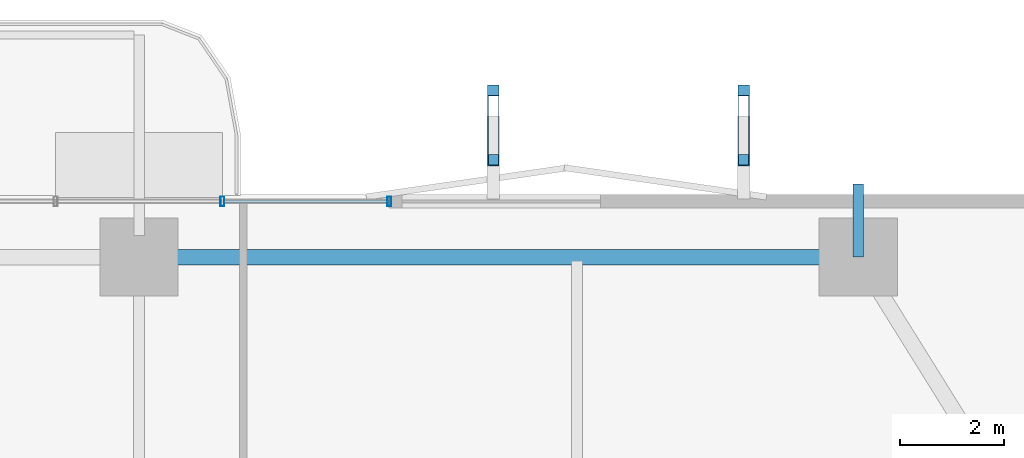
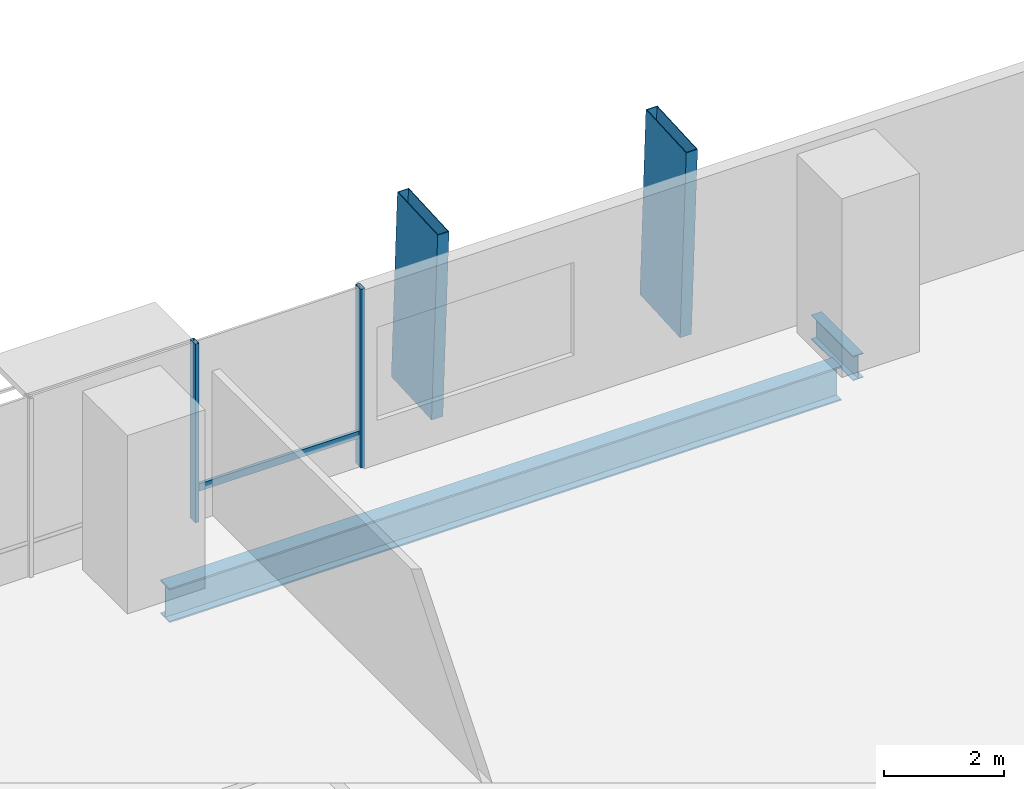
# One storey, part 15 of 24: 5 members, 2 beams, 1 element without a shape of its own.
"""IFC4 building model written with IfcOpenShell, lengths in metres."""

from ifc_helpers import new_model, si_unit, direction, frame, origin, origin_2d, place, context, subcontext, project, spatial, hollow_rectangle, i_section, extrude, material, layer, layer_set, material_profile, profile_set, type_object, element, aggregate, save


model = new_model("IFC4")

# Units and contexts
model_context = context("Model", 3, precision=1e-05, world=origin(), true_north=direction((0.0, 1.0)))
body_context = subcontext(model_context, "Body", "Model", "MODEL_VIEW")
ifc_project = project(units=[si_unit("LENGTHUNIT", "METRE"), si_unit("AREAUNIT", "SQUARE_METRE"), si_unit("VOLUMEUNIT", "CUBIC_METRE"), si_unit("PLANEANGLEUNIT", "RADIAN"), si_unit("MASSUNIT", "GRAM", prefix="KILO")], contexts=[model_context])

# Site, building, storey
site_placement = place(None, origin())
site = spatial("IfcSite", under=ifc_project, at=site_placement, CompositionType="ELEMENT")
building_placement = place(site_placement, origin())
building = spatial("IfcBuilding", under=site, at=building_placement, Name="Belovzor Exchange Tower", CompositionType="ELEMENT")
storey_placement = place(building_placement, frame((0.0, 0.0, 69.0)))
storey = spatial("IfcBuildingStorey", under=building, at=storey_placement, Name="L16", CompositionType="ELEMENT", Elevation=69.0)

# Members
ifc_material_1 = material(Name="Extruded Architectural Terracotta on Steel S355 Carrier", Category="masonry")
ifc_material_profile_1 = material_profile(ifc_material_1, hollow_rectangle(XDim=0.219970703125, YDim=1.35009765625, WallThickness=0.013916015625, at=origin_2d()))
ifc_profile_set_1 = profile_set([ifc_material_profile_1], Name="Extruded Architectural Terracotta on Steel S355 Carrier")
member_type_1 = type_object("IfcMemberType", Name="Base Arc Sweeping Terracotta Pylon Fin 1450", PredefinedType="USERDEFINED", material=ifc_profile_set_1)
for number, where, z_axis, x_axis, name in (
    (1, (35.60009765625, 58.132080078125, -0.25), (0.0, -0.052512896371, 0.998620245997), (1.0, 0.0, 0.0), "FIN-TC145 Terracotta Facade Fin L16 N3"),
    (2, (40.39990234375, 58.132080078125, -0.25), (0.0, -0.052512896371, 0.998620245997), (1.0, 0.0, 0.0), "FIN-TC145 Terracotta Facade Fin L16 N4"),
):
    element("IfcMember", number, at=place(storey_placement, frame(where, z_axis=z_axis, x_axis=x_axis)), inside=storey, type_object=member_type_1, Name=name, ObjectType="FIN", PredefinedType="USERDEFINED", context=body_context, shape_type="SweptSolid", body=[
        extrude(hollow_rectangle(XDim=0.219970703125, YDim=1.35009765625, WallThickness=0.013916015625, at=origin_2d()), origin(), (0.0, 0.0, 1.0), 3.9052734375),
    ])

# Beam
ifc_material_2 = material(Name="Steel S355", Category="steel")
ifc_material_profile_2 = material_profile(ifc_material_2, i_section(OverallWidth=0.199951171875, OverallDepth=0.5, WebThickness=0.01025390625, FlangeThickness=0.01611328125, at=origin_2d()))
ifc_profile_set_2 = profile_set([ifc_material_profile_2], Name="Steel S355")
beam_type_1 = type_object("IfcBeamType", Name="Planted Balcony Cantilever Beam IPE 500", PredefinedType="BEAM", material=ifc_profile_set_2)
beam_1_placement = place(storey_placement, frame((42.60009765625, 55.5, -0.5), z_axis=(0.0, 1.0, 0.0), x_axis=(-1.0, 0.0, 0.0)))
element("IfcBeam", 3, at=beam_1_placement, inside=storey, type_object=beam_type_1, Name="BC-500 Planted Balcony Cantilever Beam IPE 500", PredefinedType="BEAM", context=body_context, shape_type="SweptSolid", body=[
    extrude(i_section(OverallWidth=0.199951171875, OverallDepth=0.5, WebThickness=0.01025390625, FlangeThickness=0.01611328125, at=origin_2d()), origin(), (0.0, 0.0, 1.0), 1.39990234375),
])

# Curtain wall, members
ifc_material_3 = material(Name="Anodised Aluminium Framing", Category="aluminium")
ifc_layer = layer(ifc_material_3, 0.179931640625)
ifc_layer_set = layer_set([ifc_layer], Name="Anodised Aluminium Framing")
curtain_wall_type = type_object("IfcCurtainWallType", Name="Recessed Loggia Low-Iron Triple-Glazed Curtain Wall", PredefinedType="NOTDEFINED", material=ifc_layer_set)
curtain_wall_placement = place(storey_placement, origin())
curtain_wall = element("IfcCurtainWall", 4, at=curtain_wall_placement, inside=storey, type_object=curtain_wall_type, Name="CW3 Recessed Loggia Low-Iron Triple-Glazed Curtain Wall L16", PredefinedType="NOTDEFINED")
ifc_material_4 = material(Name="Steel S355", Category="steel")
ifc_material_profile_3 = material_profile(ifc_material_4, hollow_rectangle(XDim=0.074951171875, YDim=0.179931640625, WallThickness=0.0048828125, at=origin_2d()))
ifc_profile_set_3 = profile_set([ifc_material_profile_3], Name="Steel S355")
member_type_2 = type_object("IfcMemberType", Name="Thermally Broken Curtain Wall Mullion 180x75", PredefinedType="MULLION", material=ifc_profile_set_3)
member_1_placement = place(storey_placement, frame((30.39990234375, 56.570068359375, 0.0), z_axis=(0.0, 0.0, 1.0), x_axis=(1.0, 0.0, 0.0)))
member_1 = element("IfcMember", 5, at=member_1_placement, type_object=member_type_2, Name="CW-M180 Curtain Wall Mullion 3", PredefinedType="MULLION", context=body_context, shape_type="SweptSolid", body=[
    extrude(hollow_rectangle(XDim=0.074951171875, YDim=0.179931640625, WallThickness=0.0048828125, at=origin_2d()), origin(), (0.0, 0.0, 1.0), 3.64990234375),
])
member_2_placement = place(storey_placement, frame((33.60009765625, 56.570068359375, 0.0), z_axis=(0.0, 0.0, 1.0), x_axis=(1.0, 0.0, 0.0)))
member_2 = element("IfcMember", 6, at=member_2_placement, type_object=member_type_2, Name="CW-M180 Curtain Wall Mullion 4", PredefinedType="MULLION", context=body_context, shape_type="SweptSolid", body=[
    extrude(hollow_rectangle(XDim=0.074951171875, YDim=0.179931640625, WallThickness=0.0048828125, at=origin_2d()), origin(), (0.0, 0.0, 1.0), 3.64990234375),
])
ifc_material_5 = material(Name="Steel S355", Category="steel")
ifc_material_profile_4 = material_profile(ifc_material_5, hollow_rectangle(XDim=0.06005859375, YDim=0.14990234375, WallThickness=0.00390625, at=origin_2d()))
ifc_profile_set_4 = profile_set([ifc_material_profile_4], Name="Steel S355")
member_type_3 = type_object("IfcMemberType", Name="Thermally Broken Curtain Wall Transom 150x60", PredefinedType="USERDEFINED", material=ifc_profile_set_4)
member_3_placement = place(storey_placement, frame((30.407958984375, 56.570068359375, 0.64990234375), z_axis=(1.0, 0.0, 0.0), x_axis=(0.0, 1.0, 0.0)))
member_3 = element("IfcMember", 7, at=member_3_placement, type_object=member_type_3, Name="CW-T150 Curtain Wall Transom 3", ObjectType="TRANSOM", PredefinedType="USERDEFINED", context=body_context, shape_type="SweptSolid", body=[
    extrude(hollow_rectangle(XDim=0.06005859375, YDim=0.14990234375, WallThickness=0.00390625, at=origin_2d()), origin(), (0.0, 0.0, 1.0), 3.18408203125),
])
aggregate(curtain_wall, [member_1, member_2, member_3])

# Beam
ifc_material_6 = material(Name="Steel S355", Category="steel")
ifc_material_profile_5 = material_profile(ifc_material_6, i_section(OverallWidth=0.300048828125, OverallDepth=0.699951171875, WebThickness=0.01708984375, FlangeThickness=0.031982421875, at=origin_2d()))
ifc_profile_set_5 = profile_set([ifc_material_profile_5], Name="Steel S355")
beam_type_2 = type_object("IfcBeamType", Name="Zone 1 Primary Perimeter Girder HEB 700", PredefinedType="BEAM", material=ifc_profile_set_5)
beam_2_placement = place(storey_placement, frame((42.18798828125, 55.5, -0.60009765625), z_axis=(-1.0, 0.0, 0.0), x_axis=(0.0, -1.0, 0.0)))
element("IfcBeam", 8, at=beam_2_placement, inside=storey, type_object=beam_type_2, Name="FG-Z1 Zone 1 Primary Perimeter Girder HEB 700", PredefinedType="BEAM", context=body_context, shape_type="SweptSolid", body=[
    extrude(i_section(OverallWidth=0.300048828125, OverallDepth=0.699951171875, WebThickness=0.01708984375, FlangeThickness=0.031982421875, at=origin_2d()), origin(), (0.0, 0.0, 1.0), 12.97509765625),
])

save(model, "model.ifc")
